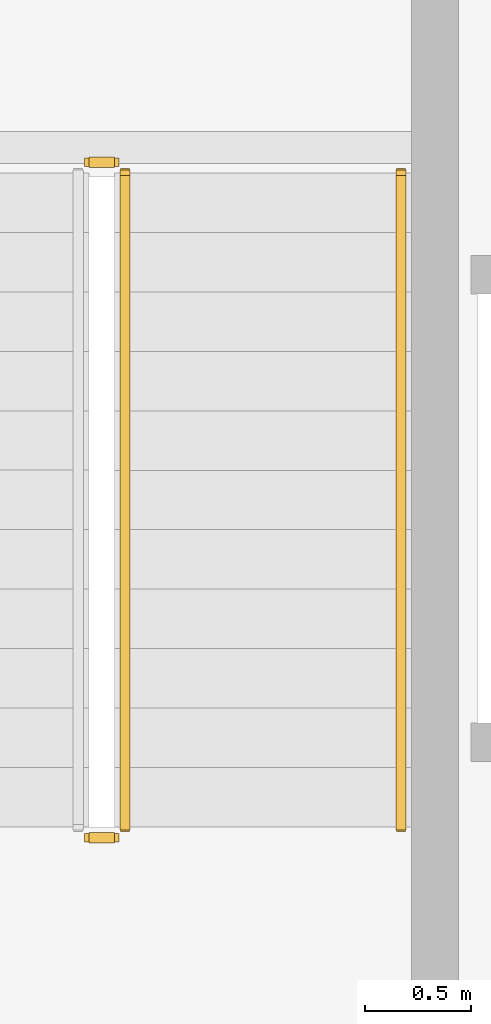
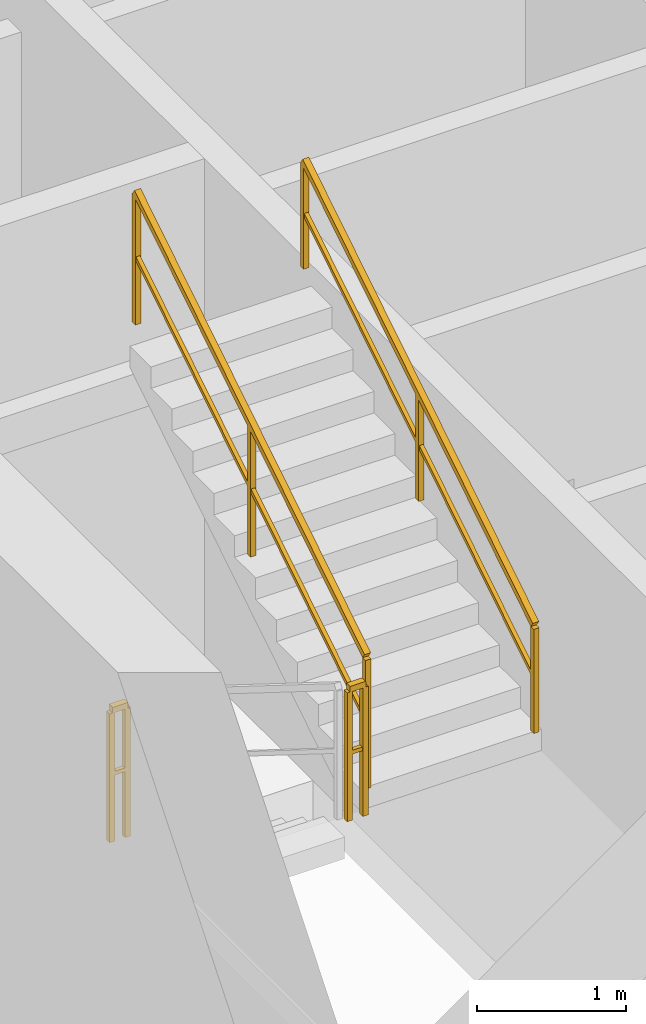
# One storey, part 9 of 12: 4 railings.
"""IFC4 building model written with IfcOpenShell, lengths in metres."""

from ifc_helpers import new_model, si_unit, direction, frame, origin, origin_2d, place, context, subcontext, project, spatial, rectangle, extrude, material, layer, layer_set, type_object, element, save


model = new_model("IFC4")

# Units and contexts
model_context = context("Model", 3, precision=1e-05, world=origin(), true_north=direction((0.0, 1.0)))
body_context = subcontext(model_context, "Body", "Model", "MODEL_VIEW")
ifc_project = project(units=[si_unit("LENGTHUNIT", "METRE"), si_unit("AREAUNIT", "SQUARE_METRE"), si_unit("VOLUMEUNIT", "CUBIC_METRE"), si_unit("PLANEANGLEUNIT", "RADIAN"), si_unit("MASSUNIT", "GRAM", prefix="KILO")], contexts=[model_context])

# Site, building, storey
site_placement = place(None, origin())
site = spatial("IfcSite", under=ifc_project, at=site_placement, CompositionType="ELEMENT")
building_placement = place(site_placement, origin())
building = spatial("IfcBuilding", under=site, at=building_placement, Name="Caelisora Broadcast Tower", CompositionType="ELEMENT")
storey_placement = place(building_placement, frame((0.0, 0.0, 18.89990234375)))
storey = spatial("IfcBuildingStorey", under=building, at=storey_placement, Name="L04", CompositionType="ELEMENT", Elevation=18.89990234375)

# Railings
ifc_material_1 = material(Name="Galvanised Steel Safety Guardrail", Category="steel")
ifc_layer_1 = layer(ifc_material_1, 0.048095703125, Name="Galvanised Steel Safety Guardrail")
ifc_layer_set_1 = layer_set([ifc_layer_1], Name="Galvanised Steel Safety Guardrail")
railing_type_1 = type_object("IfcRailingType", Name="GR-1", PredefinedType="GUARDRAIL", material=ifc_layer_set_1)
railing_1_placement = place(storey_placement, frame((32.219970703125, 19.969970703125, 2.10009765625)))
element("IfcRailing", 1, at=railing_1_placement, inside=storey, type_object=railing_type_1, Name="L04 ST-1 stair guard 2", PredefinedType="GUARDRAIL", context=body_context, shape_type="SweptSolid", body=[
    extrude(rectangle(XDim=0.048095703125, YDim=0.048095703125, at=origin_2d()), frame((0.0, 0.0, 1.076171875), z_axis=(1.0, 0.0, 0.0), x_axis=(0.0, 1.0, 0.0)), (0.0, 0.0, 1.0), 0.1201171875),
    extrude(rectangle(XDim=0.03125, YDim=0.03125, at=origin_2d()), frame((0.0, 0.0, 0.550048828125), z_axis=(1.0, 0.0, 0.0), x_axis=(0.0, 1.0, 0.0)), (0.0, 0.0, 1.0), 0.1201171875),
    extrude(rectangle(XDim=0.0419921875, YDim=0.0419921875, at=origin_2d()), origin(), (0.0, 0.0, 1.0), 1.052001953125),
    extrude(rectangle(XDim=0.0419921875, YDim=0.0419921875, at=origin_2d()), frame((0.1201171875, 0.0, 0.0)), (0.0, 0.0, 1.0), 1.052001953125),
])
railing_2_placement = place(storey_placement, frame((32.389892578125, 20.02001953125, 2.275146484375)))
element("IfcRailing", 2, at=railing_2_placement, inside=storey, type_object=railing_type_1, Name="L04 ST-1 stair guard 3", PredefinedType="GUARDRAIL", context=body_context, shape_type="SweptSolid", body=[
    extrude(rectangle(XDim=0.048095703125, YDim=0.048095703125, at=origin_2d()), frame((0.0, 0.0, 1.076171875), z_axis=(0.0, 0.847998304005, 0.529998940003), x_axis=(-1.0, 0.0, 0.0)), (0.0, 0.0, 1.0), 3.632080078125),
    extrude(rectangle(XDim=0.03125, YDim=0.03125, at=origin_2d()), frame((0.0, 0.0, 0.550048828125), z_axis=(0.0, 0.847998304005, 0.529998940003), x_axis=(-1.0, 0.0, 0.0)), (0.0, 0.0, 1.0), 3.632080078125),
    extrude(rectangle(XDim=0.0419921875, YDim=0.0419921875, at=origin_2d()), origin(), (0.0, 0.0, 1.0), 1.052001953125),
    extrude(rectangle(XDim=0.0419921875, YDim=0.0419921875, at=origin_2d()), frame((0.0, 1.5400390625, 0.96240234375)), (0.0, 0.0, 1.0), 1.052001953125),
    extrude(rectangle(XDim=0.0419921875, YDim=0.0419921875, at=origin_2d()), frame((0.0, 3.080078125, 1.925048828125)), (0.0, 0.0, 1.0), 1.052001953125),
])
railing_3_placement = place(storey_placement, frame((32.219970703125, 23.14990234375, 0.0)))
element("IfcRailing", 3, at=railing_3_placement, inside=storey, type_object=railing_type_1, Name="L04 ST-1 stair guard 4", PredefinedType="GUARDRAIL", context=body_context, shape_type="SweptSolid", body=[
    extrude(rectangle(XDim=0.048095703125, YDim=0.048095703125, at=origin_2d()), frame((0.0, 0.0, 1.076171875), z_axis=(1.0, 0.0, 0.0), x_axis=(0.0, 1.0, 0.0)), (0.0, 0.0, 1.0), 0.1201171875),
    extrude(rectangle(XDim=0.03125, YDim=0.03125, at=origin_2d()), frame((0.0, 0.0, 0.550048828125), z_axis=(1.0, 0.0, 0.0), x_axis=(0.0, 1.0, 0.0)), (0.0, 0.0, 1.0), 0.1201171875),
    extrude(rectangle(XDim=0.0419921875, YDim=0.0419921875, at=origin_2d()), origin(), (0.0, 0.0, 1.0), 1.052001953125),
    extrude(rectangle(XDim=0.0419921875, YDim=0.0419921875, at=origin_2d()), frame((0.1201171875, 0.0, 0.0)), (0.0, 0.0, 1.0), 1.052001953125),
])
ifc_material_2 = material(Name="Stainless Steel Grade 316 Tubular Handrail", Category="steel")
ifc_layer_2 = layer(ifc_material_2, 0.048095703125, Name="Stainless Steel Grade 316 Tubular Handrail")
ifc_layer_set_2 = layer_set([ifc_layer_2], Name="Stainless Steel Grade 316 Tubular Handrail")
railing_type_2 = type_object("IfcRailingType", Name="HR-1", PredefinedType="HANDRAIL", material=ifc_layer_set_2)
railing_4_placement = place(storey_placement, frame((33.68994140625, 20.02001953125, 2.275146484375)))
element("IfcRailing", 4, at=railing_4_placement, inside=storey, type_object=railing_type_2, Name="L04 ST-1 stair handrail 2", PredefinedType="HANDRAIL", context=body_context, shape_type="SweptSolid", body=[
    extrude(rectangle(XDim=0.048095703125, YDim=0.048095703125, at=origin_2d()), frame((0.0, 0.0, 0.8759765625), z_axis=(0.0, 0.847998304005, 0.529998940003), x_axis=(-1.0, 0.0, 0.0)), (0.0, 0.0, 1.0), 3.632080078125),
    extrude(rectangle(XDim=0.03125, YDim=0.03125, at=origin_2d()), frame((0.0, 0.0, 0.449951171875), z_axis=(0.0, 0.847998304005, 0.529998940003), x_axis=(-1.0, 0.0, 0.0)), (0.0, 0.0, 1.0), 3.632080078125),
    extrude(rectangle(XDim=0.0419921875, YDim=0.0419921875, at=origin_2d()), origin(), (0.0, 0.0, 1.0), 0.851806640625),
    extrude(rectangle(XDim=0.0419921875, YDim=0.0419921875, at=origin_2d()), frame((0.0, 1.5400390625, 0.96240234375)), (0.0, 0.0, 1.0), 0.851806640625),
    extrude(rectangle(XDim=0.0419921875, YDim=0.0419921875, at=origin_2d()), frame((0.0, 3.080078125, 1.925048828125)), (0.0, 0.0, 1.0), 0.851806640625),
])

save(model, "model.ifc")
